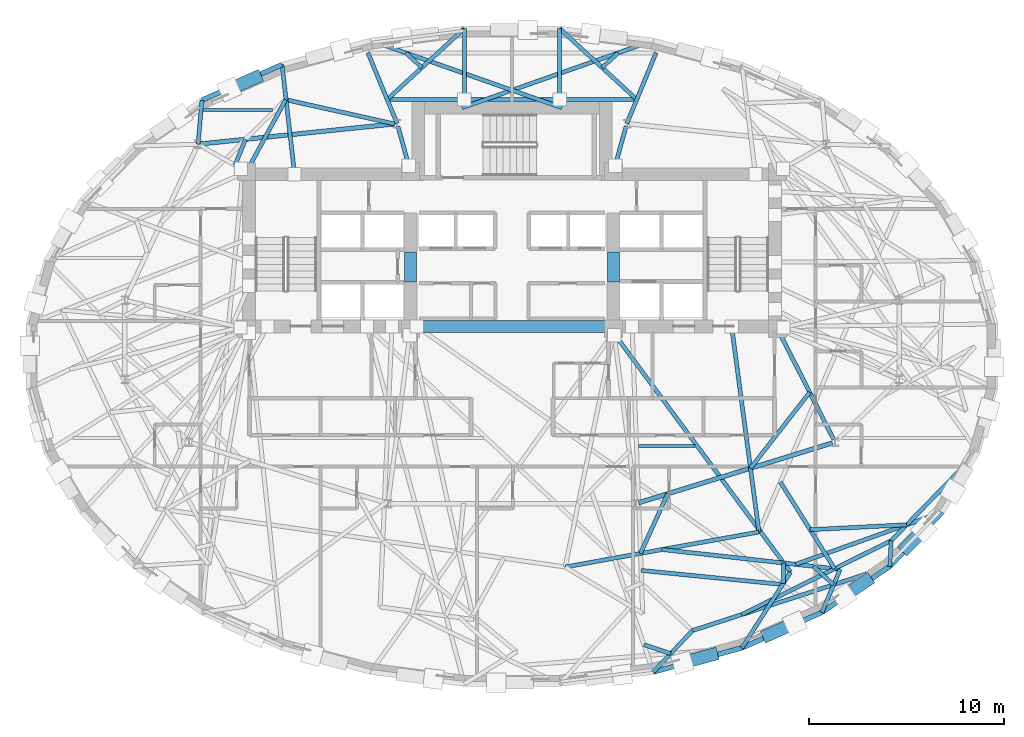
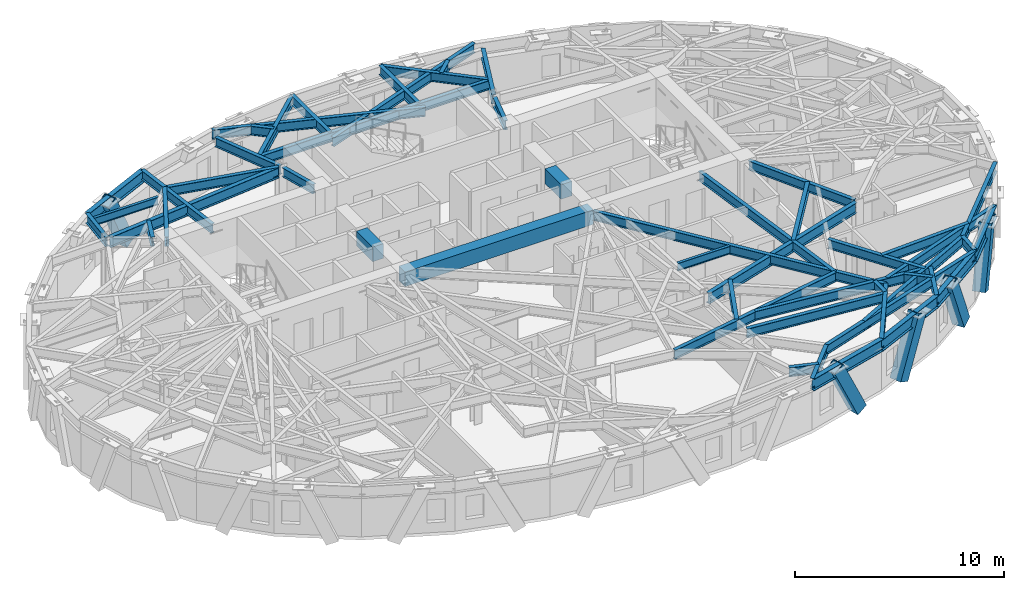
# One storey, part 3 of 15: 51 beams, 5 members.
"""IFC4 building model written with IfcOpenShell, lengths in metres."""

from ifc_helpers import new_model, si_unit, direction, frame, origin, origin_2d, place, context, subcontext, project, spatial, rectangle, hollow_rectangle, i_section, extrude, material, material_profile, profile_set, type_object, element, save


model = new_model("IFC4")

# Units and contexts
model_context = context("Model", 3, precision=1e-05, world=origin(), true_north=direction((0.0, 1.0)))
body_context = subcontext(model_context, "Body", "Model", "MODEL_VIEW")
ifc_project = project(units=[si_unit("LENGTHUNIT", "METRE"), si_unit("AREAUNIT", "SQUARE_METRE"), si_unit("VOLUMEUNIT", "CUBIC_METRE"), si_unit("PLANEANGLEUNIT", "RADIAN"), si_unit("MASSUNIT", "GRAM", prefix="KILO")], contexts=[model_context])

# Site, building, storey
site_placement = place(None, origin())
site = spatial("IfcSite", under=ifc_project, at=site_placement, CompositionType="ELEMENT")
building_placement = place(site_placement, origin())
building = spatial("IfcBuilding", under=site, at=building_placement, Name="Keldmark Tower", CompositionType="ELEMENT")
storey_placement = place(building_placement, frame((0.0, 0.0, 159.800048828125)))
storey = spatial("IfcBuildingStorey", under=building, at=storey_placement, Name="L43", CompositionType="ELEMENT", Elevation=159.800048828125)

# Beams
ifc_material_1 = material(Name="Steel ASTM A992 Grade 50", Category="steel")
ifc_material_profile_1 = material_profile(ifc_material_1, i_section(OverallWidth=0.153076171875, OverallDepth=0.455078125, WebThickness=0.008056640625, FlangeThickness=0.01318359375, at=origin_2d()), Name="W18X40")
ifc_profile_set_1 = profile_set([ifc_material_profile_1], Name="Steel ASTM A992 Grade 50")
beam_type_1 = type_object("IfcBeamType", Name="Composite Floor Joist W18X40", PredefinedType="JOIST", material=ifc_profile_set_1)
beam_1_placement = place(storey_placement, frame((6.473388671875, -4.60009765625, 2.79248046875), z_axis=(1.0, 0.0, 0.0), x_axis=(0.0, 1.0, 0.0)))
element("IfcBeam", 1, at=beam_1_placement, inside=storey, type_object=beam_type_1, Name="L43 Composite Floor Joist J04", PredefinedType="JOIST", context=body_context, shape_type="SweptSolid", body=[
    extrude(i_section(OverallWidth=0.153076171875, OverallDepth=0.455078125, WebThickness=0.008056640625, FlangeThickness=0.01318359375, at=origin_2d()), origin(), (0.0, 0.0, 1.0), 2.89453125),
])
beam_2_placement = place(storey_placement, frame((-15.827880859375, 12.6201171875, 2.79248046875), z_axis=(1.0, 0.0, 0.0), x_axis=(0.0, 1.0, 0.0)))
element("IfcBeam", 2, at=beam_2_placement, inside=storey, type_object=beam_type_1, Name="L43 Composite Floor Joist J07", PredefinedType="JOIST", context=body_context, shape_type="SweptSolid", body=[
    extrude(i_section(OverallWidth=0.153076171875, OverallDepth=0.455078125, WebThickness=0.008056640625, FlangeThickness=0.01318359375, at=origin_2d()), origin(), (0.0, 0.0, 1.0), 3.567626953125),
])
ifc_material_2 = material(Name="Concrete C50/60", Category="concrete")
ifc_material_profile_2 = material_profile(ifc_material_2, rectangle(XDim=0.60009765625, YDim=0.85009765625, at=origin_2d()), Name="RCB600X850")
ifc_profile_set_2 = profile_set([ifc_material_profile_2], Name="Concrete C50/60")
beam_type_2 = type_object("IfcBeamType", Name="Core Coupling Beam RCB600X850", PredefinedType="USERDEFINED", material=ifc_profile_set_2)
for number, where, z_axis, x_axis, name in (
    (3, (-5.199951171875, 3.800048828125, 2.594970703125), (0.0, 1.0, 0.0), (-1.0, 0.0, 0.0), "L43 West Core Coupling Beam"),
    (4, (5.199951171875, 3.800048828125, 2.594970703125), (0.0, 1.0, 0.0), (-1.0, 0.0, 0.0), "L43 East Core Coupling Beam"),
):
    element("IfcBeam", number, at=place(storey_placement, frame(where, z_axis=z_axis, x_axis=x_axis)), inside=storey, type_object=beam_type_2, Name=name, ObjectType="COUPLING BEAM", PredefinedType="USERDEFINED", context=body_context, shape_type="SweptSolid", body=[
        extrude(rectangle(XDim=0.60009765625, YDim=0.85009765625, at=origin_2d()), origin(), (0.0, 0.0, 1.0), 1.550048828125),
    ])
beam_3_placement = place(storey_placement, frame((-5.199951171875, 1.52490234375, 2.594970703125), z_axis=(1.0, 0.0, 0.0), x_axis=(0.0, 1.0, 0.0)))
element("IfcBeam", 5, at=beam_3_placement, inside=storey, type_object=beam_type_2, Name="L43 Central South Core Coupling Beam", ObjectType="COUPLING BEAM", PredefinedType="USERDEFINED", context=body_context, shape_type="SweptSolid", body=[
    extrude(rectangle(XDim=0.60009765625, YDim=0.85009765625, at=origin_2d()), origin(), (0.0, 0.0, 1.0), 10.39990234375),
])

# Members
ifc_material_3 = material(Name="Steel ASTM A572 Grade 50", Category="steel")
ifc_material_profile_3 = material_profile(ifc_material_3, hollow_rectangle(XDim=0.64990234375, YDim=0.64990234375, WallThickness=0.0400390625, at=origin_2d()), Name="BOX650X650X40")
ifc_profile_set_3 = profile_set([ifc_material_profile_3], Name="Steel ASTM A572 Grade 50")
member_type = type_object("IfcMemberType", Name="Diagrid Zone 3 Brace BOX650X650X40", PredefinedType="BRACE", material=ifc_profile_set_3)
member_1_placement = place(storey_placement, frame((-13.11767578125, 14.278076171875, -0.260009765625), z_axis=(-0.390998466283, -0.173676225334, 0.903856608162), x_axis=(0.405941576502, -0.913899029689, 0.0)))
element("IfcMember", 6, at=member_1_placement, inside=storey, type_object=member_type, Name="L43 Perimeter Diagrid Brace 06A", PredefinedType="BRACE", context=body_context, shape_type="SweptSolid", body=[
    extrude(hollow_rectangle(XDim=0.64990234375, YDim=0.64990234375, WallThickness=0.0400390625, at=origin_2d()), origin(), (0.0, 0.0, 1.0), 3.49609375),
])
member_2_placement = place(storey_placement, frame((10.24755859375, -15.2919921875, -0.260009765625), z_axis=(-0.429184205547, -0.116534376353, 0.895667715639), x_axis=(0.262037586807, -0.965057668277, 0.0)))
element("IfcMember", 7, at=member_2_placement, inside=storey, type_object=member_type, Name="L43 Perimeter Diagrid Brace 13B", PredefinedType="BRACE", context=body_context, shape_type="SweptSolid", body=[
    extrude(hollow_rectangle(XDim=0.64990234375, YDim=0.64990234375, WallThickness=0.0400390625, at=origin_2d()), origin(), (0.0, 0.0, 1.0), 3.528076171875),
])
member_3_placement = place(storey_placement, frame((13.11767578125, -14.278076171875, -0.260009765625), z_axis=(0.390998466283, 0.173676225334, 0.903856608162), x_axis=(-0.405941576502, 0.913899029689, 0.0)))
element("IfcMember", 8, at=member_3_placement, inside=storey, type_object=member_type, Name="L43 Perimeter Diagrid Brace 14A", PredefinedType="BRACE", context=body_context, shape_type="SweptSolid", body=[
    extrude(hollow_rectangle(XDim=0.64990234375, YDim=0.64990234375, WallThickness=0.0400390625, at=origin_2d()), origin(), (0.0, 0.0, 1.0), 3.49609375),
])
member_4_placement = place(storey_placement, frame((18.1552734375, -11.502197265625, -0.260009765625), z_axis=(-0.334787205548, -0.226960005112, 0.914552722964), x_axis=(0.56113396057, -0.827725001613, 0.0)))
element("IfcMember", 9, at=member_4_placement, inside=storey, type_object=member_type, Name="L43 Perimeter Diagrid Brace 14B", PredefinedType="BRACE", context=body_context, shape_type="SweptSolid", body=[
    extrude(hollow_rectangle(XDim=0.64990234375, YDim=0.64990234375, WallThickness=0.0400390625, at=origin_2d()), origin(), (0.0, 0.0, 1.0), 3.455078125),
])
member_5_placement = place(storey_placement, frame((20.19921875, -9.7998046875, -0.260009765625), z_axis=(0.262417053705, 0.271502922249, 0.925971626528), x_axis=(-0.719035714481, 0.694973122718, 0.0)))
element("IfcMember", 10, at=member_5_placement, inside=storey, type_object=member_type, Name="L43 Perimeter Diagrid Brace 15A", PredefinedType="BRACE", context=body_context, shape_type="SweptSolid", body=[
    extrude(hollow_rectangle(XDim=0.64990234375, YDim=0.64990234375, WallThickness=0.0400390625, at=origin_2d()), origin(), (0.0, 0.0, 1.0), 3.41259765625),
])

# Beams
ifc_material_4 = material(Name="Steel ASTM A992 Grade 50", Category="steel")
ifc_material_profile_4 = material_profile(ifc_material_4, i_section(OverallWidth=0.22900390625, OverallDepth=0.612060546875, WebThickness=0.011962890625, FlangeThickness=0.01953125, at=origin_2d()), Name="W24X84")
ifc_profile_set_4 = profile_set([ifc_material_profile_4], Name="Steel ASTM A992 Grade 50")
beam_type_3 = type_object("IfcBeamType", Name="Primary Floor Girder W24X84", PredefinedType="BEAM", material=ifc_profile_set_4)
beam_4_placement = place(storey_placement, frame((-6.01953125, 11.90087890625, 2.7138671875), z_axis=(-0.994702930931, -0.102791435423, 0.0), x_axis=(0.102791435423, -0.994702930931, 0.0)))
element("IfcBeam", 11, at=beam_4_placement, inside=storey, type_object=beam_type_3, Name="L43 Floor Ring Girder FG-R04", PredefinedType="BEAM", context=body_context, shape_type="SweptSolid", body=[
    extrude(i_section(OverallWidth=0.22900390625, OverallDepth=0.612060546875, WebThickness=0.011962890625, FlangeThickness=0.01953125, at=origin_2d()), origin(), (0.0, 0.0, 1.0), 9.975341796875),
])
beam_5_placement = place(storey_placement, frame((6.485107421875, -7.5048828125, 2.7138671875), z_axis=(0.955494563145, 0.295008711398, 0.0), x_axis=(-0.295008711398, 0.955494563145, 0.0)))
element("IfcBeam", 12, at=beam_5_placement, inside=storey, type_object=beam_type_3, Name="L43 Floor Ring Girder FG-R10", PredefinedType="BEAM", context=body_context, shape_type="SweptSolid", body=[
    extrude(i_section(OverallWidth=0.22900390625, OverallDepth=0.612060546875, WebThickness=0.011962890625, FlangeThickness=0.01953125, at=origin_2d()), origin(), (0.0, 0.0, 1.0), 10.39013671875),
])
ifc_material_5 = material(Name="Steel ASTM A992 Grade 50", Category="steel")
ifc_material_profile_5 = material_profile(ifc_material_5, i_section(OverallWidth=0.2099609375, OverallDepth=0.537109375, WebThickness=0.010986328125, FlangeThickness=0.017333984375, at=origin_2d()), Name="W21X68")
ifc_profile_set_5 = profile_set([ifc_material_profile_5], Name="Steel ASTM A992 Grade 50")
beam_type_4 = type_object("IfcBeamType", Name="Radial Tie Girder W21X68", PredefinedType="BEAM", material=ifc_profile_set_5)
for number, where, z_axis, x_axis, name in (
    (13, (5.843017578125, 11.7802734375, 2.75146484375), (-0.265992411, -0.963975122755, 0.0), (0.963975122755, -0.265992411, 0.0), "L43 Floor Radial Girder FG-C03"),
    (14, (-5.843017578125, 11.7802734375, 2.75146484375), (0.265992411, -0.963975122755, 0.0), (0.963975122755, 0.265992411, 0.0), "L43 Floor Radial Girder FG-C04"),
):
    element("IfcBeam", number, at=place(storey_placement, frame(where, z_axis=z_axis, x_axis=x_axis)), inside=storey, type_object=beam_type_4, Name=name, PredefinedType="BEAM", context=body_context, shape_type="SweptSolid", body=[
        extrude(i_section(OverallWidth=0.2099609375, OverallDepth=0.537109375, WebThickness=0.010986328125, FlangeThickness=0.017333984375, at=origin_2d()), origin(), (0.0, 0.0, 1.0), 2.09716796875),
    ])
beam_6_placement = place(storey_placement, frame((16.4833984375, -4.273681640625, 2.75146484375), z_axis=(-0.453036691775, 0.891491870914, 0.0), x_axis=(-0.891491870914, -0.453036691775, 0.0)))
element("IfcBeam", 15, at=beam_6_placement, inside=storey, type_object=beam_type_4, Name="L43 Floor Radial Girder FG-C11", PredefinedType="BEAM", context=body_context, shape_type="SweptSolid", body=[
    extrude(i_section(OverallWidth=0.2099609375, OverallDepth=0.537109375, WebThickness=0.010986328125, FlangeThickness=0.017333984375, at=origin_2d()), origin(), (0.0, 0.0, 1.0), 6.044189453125),
])
beam_7_placement = place(storey_placement, frame((15.251220703125, -1.848876953125, 2.75146484375), z_axis=(-0.61556718814, -0.788084409746, 0.0), x_axis=(0.788084409746, -0.61556718814, 0.0)))
element("IfcBeam", 16, at=beam_7_placement, inside=storey, type_object=beam_type_4, Name="L43 Framing Pin Header PH-008", PredefinedType="BEAM", context=body_context, shape_type="SweptSolid", body=[
    extrude(i_section(OverallWidth=0.2099609375, OverallDepth=0.537109375, WebThickness=0.010986328125, FlangeThickness=0.017333984375, at=origin_2d()), origin(), (0.0, 0.0, 1.0), 4.931884765625),
])
beam_8_placement = place(storey_placement, frame((11.25, 1.52490234375, 2.75146484375), z_axis=(0.131788779406, -0.991277820605, 0.0), x_axis=(0.991277820605, 0.131788779406, 0.0)))
element("IfcBeam", 17, at=beam_8_placement, inside=storey, type_object=beam_type_4, Name="L43 Sub-Ring Step Girder STP2-M11", PredefinedType="BEAM", context=body_context, shape_type="SweptSolid", body=[
    extrude(i_section(OverallWidth=0.2099609375, OverallDepth=0.537109375, WebThickness=0.010986328125, FlangeThickness=0.017333984375, at=origin_2d()), origin(), (0.0, 0.0, 1.0), 10.620361328125),
])
beam_9_placement = place(storey_placement, frame((2.723876953125, -10.796142578125, 2.75146484375), z_axis=(0.984069515752, 0.1777841055, 0.0), x_axis=(-0.1777841055, 0.984069515752, 0.0)))
element("IfcBeam", 18, at=beam_9_placement, inside=storey, type_object=beam_type_4, Name="L43 Perimeter Collector Ring Beam CRG2-M10", PredefinedType="BEAM", context=body_context, shape_type="SweptSolid", body=[
    extrude(i_section(OverallWidth=0.2099609375, OverallDepth=0.537109375, WebThickness=0.010986328125, FlangeThickness=0.017333984375, at=origin_2d()), origin(), (0.0, 0.0, 1.0), 10.08642578125),
])
beam_10_placement = place(storey_placement, frame((-14.1904296875, 9.78564453125, 2.75146484375), z_axis=(0.377464687755, 0.9260239789, 0.0), x_axis=(-0.9260239789, 0.377464687755, 0.0)))
element("IfcBeam", 19, at=beam_10_placement, inside=storey, type_object=beam_type_4, Name="L43 Framing Pin Header PH-013", PredefinedType="BEAM", context=body_context, shape_type="SweptSolid", body=[
    extrude(i_section(OverallWidth=0.2099609375, OverallDepth=0.537109375, WebThickness=0.010986328125, FlangeThickness=0.017333984375, at=origin_2d()), origin(), (0.0, 0.0, 1.0), 1.4326171875),
])
beam_11_placement = place(storey_placement, frame((-13.60009765625, 9.449951171875, 2.75146484375), z_axis=(0.477654717375, 0.878547648662, 0.0), x_axis=(-0.878547648662, 0.477654717375, 0.0)))
element("IfcBeam", 20, at=beam_11_placement, inside=storey, type_object=beam_type_4, Name="L43 Local Collector Chord RT-11C", PredefinedType="BEAM", context=body_context, shape_type="SweptSolid", body=[
    extrude(i_section(OverallWidth=0.2099609375, OverallDepth=0.537109375, WebThickness=0.010986328125, FlangeThickness=0.017333984375, at=origin_2d()), origin(), (0.0, 0.0, 1.0), 4.201416015625),
])
beam_12_placement = place(storey_placement, frame((-16.08154296875, 10.861083984375, 2.75146484375), z_axis=(0.089048441045, 0.996027296387, 0.0), x_axis=(-0.996027296387, 0.089048441045, 0.0)))
element("IfcBeam", 21, at=beam_12_placement, inside=storey, type_object=beam_type_4, Name="L43 Perimeter Column Bracket RT-12", PredefinedType="BEAM", context=body_context, shape_type="SweptSolid", body=[
    extrude(i_section(OverallWidth=0.2099609375, OverallDepth=0.537109375, WebThickness=0.010986328125, FlangeThickness=0.017333984375, at=origin_2d()), origin(), (0.0, 0.0, 1.0), 2.2646484375),
])
beam_13_placement = place(storey_placement, frame((7.97412109375, -7.045166015625, 2.75146484375), z_axis=(-0.414953421551, -0.909842655597, 0.0), x_axis=(0.909842655597, -0.414953421551, 0.0)))
element("IfcBeam", 22, at=beam_13_placement, inside=storey, type_object=beam_type_4, Name="L43 Framing Pin Header PH-026", PredefinedType="BEAM", context=body_context, shape_type="SweptSolid", body=[
    extrude(i_section(OverallWidth=0.2099609375, OverallDepth=0.537109375, WebThickness=0.010986328125, FlangeThickness=0.017333984375, at=origin_2d()), origin(), (0.0, 0.0, 1.0), 3.356689453125),
])
beam_14_placement = place(storey_placement, frame((7.23681640625, -16.171875, 2.75146484375), z_axis=(0.686997697273, 0.726659592892, 0.0), x_axis=(-0.726659592892, 0.686997697273, 0.0)))
element("IfcBeam", 23, at=beam_14_placement, inside=storey, type_object=beam_type_4, Name="L43 Local Collector Chord RT-27C", PredefinedType="BEAM", context=body_context, shape_type="SweptSolid", body=[
    extrude(i_section(OverallWidth=0.2099609375, OverallDepth=0.537109375, WebThickness=0.010986328125, FlangeThickness=0.017333984375, at=origin_2d()), origin(), (0.0, 0.0, 1.0), 2.91162109375),
])
beam_15_placement = place(storey_placement, frame((6.758544921875, -14.777099609375, 2.75146484375), z_axis=(0.949660375702, -0.313281296636, 0.0), x_axis=(0.313281296636, 0.949660375702, 0.0)))
element("IfcBeam", 24, at=beam_15_placement, inside=storey, type_object=beam_type_4, Name="L43 Framing Pin Header PH-029", PredefinedType="BEAM", context=body_context, shape_type="SweptSolid", body=[
    extrude(i_section(OverallWidth=0.2099609375, OverallDepth=0.537109375, WebThickness=0.010986328125, FlangeThickness=0.017333984375, at=origin_2d()), origin(), (0.0, 0.0, 1.0), 1.4423828125),
])
beam_16_placement = place(storey_placement, frame((5.199951171875, 1.199951171875, 2.75146484375), z_axis=(0.59453422217, -0.804070307043, 0.0), x_axis=(0.804070307043, 0.59453422217, 0.0)))
element("IfcBeam", 25, at=beam_16_placement, inside=storey, type_object=beam_type_4, Name="L43 Intermediate Radial Step Girder RT-28M", PredefinedType="BEAM", context=body_context, shape_type="SweptSolid", body=[
    extrude(i_section(OverallWidth=0.2099609375, OverallDepth=0.537109375, WebThickness=0.010986328125, FlangeThickness=0.017333984375, at=origin_2d()), origin(), (0.0, 0.0, 1.0), 15.2470703125),
])
beam_17_placement = place(storey_placement, frame((11.77880859375, -14.93798828125, 2.75146484375), z_axis=(0.539677672461, 0.841871730044, 0.0), x_axis=(-0.841871730044, 0.539677672461, 0.0)))
element("IfcBeam", 26, at=beam_17_placement, inside=storey, type_object=beam_type_4, Name="L43 Local Collector Chord RT-28C", PredefinedType="BEAM", context=body_context, shape_type="SweptSolid", body=[
    extrude(i_section(OverallWidth=0.2099609375, OverallDepth=0.537109375, WebThickness=0.010986328125, FlangeThickness=0.017333984375, at=origin_2d()), origin(), (0.0, 0.0, 1.0), 4.606689453125),
])
beam_18_placement = place(storey_placement, frame((6.613525390625, -10.96923828125, 2.75146484375), z_axis=(0.995067350414, -0.099201653916, 0.0), x_axis=(0.099201653916, 0.995067350414, 0.0)))
element("IfcBeam", 27, at=beam_18_placement, inside=storey, type_object=beam_type_4, Name="L43 Framing Pin Header PH-030", PredefinedType="BEAM", context=body_context, shape_type="SweptSolid", body=[
    extrude(i_section(OverallWidth=0.2099609375, OverallDepth=0.537109375, WebThickness=0.010986328125, FlangeThickness=0.017333984375, at=origin_2d()), origin(), (0.0, 0.0, 1.0), 7.2822265625),
])
beam_19_placement = place(storey_placement, frame((13.891845703125, -11.6416015625, 2.75146484375), z_axis=(0.02533480898, 0.999679022214, 0.0), x_axis=(-0.999679022214, 0.02533480898, 0.0)))
element("IfcBeam", 28, at=beam_19_placement, inside=storey, type_object=beam_type_4, Name="L43 Framing Pin Header PH-031", PredefinedType="BEAM", context=body_context, shape_type="SweptSolid", body=[
    extrude(i_section(OverallWidth=0.2099609375, OverallDepth=0.537109375, WebThickness=0.010986328125, FlangeThickness=0.017333984375, at=origin_2d()), origin(), (0.0, 0.0, 1.0), 1.05029296875),
])
beam_20_placement = place(storey_placement, frame((7.686767578125, -9.8994140625, 2.75146484375), z_axis=(0.993889248992, -0.110381885916, 0.0), x_axis=(0.110381885916, 0.993889248992, 0.0)))
element("IfcBeam", 29, at=beam_20_placement, inside=storey, type_object=beam_type_4, Name="L43 Intermediate Radial Step Girder RT-29M", PredefinedType="BEAM", context=body_context, shape_type="SweptSolid", body=[
    extrude(i_section(OverallWidth=0.2099609375, OverallDepth=0.537109375, WebThickness=0.010986328125, FlangeThickness=0.017333984375, at=origin_2d()), origin(), (0.0, 0.0, 1.0), 9.1767578125),
])
beam_21_placement = place(storey_placement, frame((15.8798828125, -13.11669921875, 2.75146484375), z_axis=(0.387824231892, 0.921733348185, 0.0), x_axis=(-0.921733348185, 0.387824231892, 0.0)))
element("IfcBeam", 30, at=beam_21_placement, inside=storey, type_object=beam_type_4, Name="L43 Local Collector Chord RT-29C", PredefinedType="BEAM", context=body_context, shape_type="SweptSolid", body=[
    extrude(i_section(OverallWidth=0.2099609375, OverallDepth=0.537109375, WebThickness=0.010986328125, FlangeThickness=0.017333984375, at=origin_2d()), origin(), (0.0, 0.0, 1.0), 2.3916015625),
])
beam_22_placement = place(storey_placement, frame((15.439208984375, -10.760498046875, 2.75146484375), z_axis=(0.740981524203, -0.671525413361, 0.0), x_axis=(0.671525413361, 0.740981524203, 0.0)))
element("IfcBeam", 31, at=beam_22_placement, inside=storey, type_object=beam_type_4, Name="L43 Framing Pin Header PH-032", PredefinedType="BEAM", context=body_context, shape_type="SweptSolid", body=[
    extrude(i_section(OverallWidth=0.2099609375, OverallDepth=0.537109375, WebThickness=0.010986328125, FlangeThickness=0.017333984375, at=origin_2d()), origin(), (0.0, 0.0, 1.0), 1.39892578125),
])
beam_23_placement = place(storey_placement, frame((9.237060546875, -14.05615234375, 2.75146484375), z_axis=(0.950900030318, 0.309498194407, 0.0), x_axis=(-0.309498194407, 0.950900030318, 0.0)))
element("IfcBeam", 32, at=beam_23_placement, inside=storey, type_object=beam_type_4, Name="L43 Perimeter Radial Tie Girder RT-29", PredefinedType="BEAM", context=body_context, shape_type="SweptSolid", body=[
    extrude(i_section(OverallWidth=0.2099609375, OverallDepth=0.537109375, WebThickness=0.010986328125, FlangeThickness=0.017333984375, at=origin_2d()), origin(), (0.0, 0.0, 1.0), 10.635009765625),
])
beam_24_placement = place(storey_placement, frame((13.748779296875, -6.447998046875, 2.75146484375), z_axis=(0.530665942511, -0.847581062471, 0.0), x_axis=(0.847581062471, 0.530665942511, 0.0)))
element("IfcBeam", 33, at=beam_24_placement, inside=storey, type_object=beam_type_4, Name="L43 Framing Pin Header PH-033", PredefinedType="BEAM", context=body_context, shape_type="SweptSolid", body=[
    extrude(i_section(OverallWidth=0.2099609375, OverallDepth=0.537109375, WebThickness=0.010986328125, FlangeThickness=0.017333984375, at=origin_2d()), origin(), (0.0, 0.0, 1.0), 5.22998046875),
])
beam_25_placement = place(storey_placement, frame((11.765380859375, -13.233154296875, 2.75146484375), z_axis=(0.896464468834, 0.443115623871, 0.0), x_axis=(-0.443115623871, 0.896464468834, 0.0)))
element("IfcBeam", 34, at=beam_25_placement, inside=storey, type_object=beam_type_4, Name="L43 Intermediate Radial Step Girder RT-30M", PredefinedType="BEAM", context=body_context, shape_type="SweptSolid", body=[
    extrude(i_section(OverallWidth=0.2099609375, OverallDepth=0.537109375, WebThickness=0.010986328125, FlangeThickness=0.017333984375, at=origin_2d()), origin(), (0.0, 0.0, 1.0), 8.541015625),
])
beam_26_placement = place(storey_placement, frame((19.349853515625, -10.7646484375, 2.75146484375), z_axis=(0.054823748843, 0.998496047345, 0.0), x_axis=(-0.998496047345, 0.054823748843, 0.0)))
element("IfcBeam", 35, at=beam_26_placement, inside=storey, type_object=beam_type_4, Name="L43 Local Collector Chord RT-30C", PredefinedType="BEAM", context=body_context, shape_type="SweptSolid", body=[
    extrude(i_section(OverallWidth=0.2099609375, OverallDepth=0.537109375, WebThickness=0.010986328125, FlangeThickness=0.017333984375, at=origin_2d()), origin(), (0.0, 0.0, 1.0), 1.318115234375),
])
for number, where, z_axis, x_axis, name in (
    (36, (-5.880126953125, 11.915283203125, 2.75146484375), (-0.381836487795, 0.924229893797, 0.0), (-0.924229893797, -0.381836487795, 0.0), "L43 North Column Cantilever Girder West FG-TCN-W"),
    (37, (5.880126953125, 11.915283203125, 2.75146484375), (0.381836487795, 0.924229893797, 0.0), (-0.924229893797, 0.381836487795, 0.0), "L43 North Column Cantilever Girder East FG-TCN-E"),
):
    element("IfcBeam", number, at=place(storey_placement, frame(where, z_axis=z_axis, x_axis=x_axis)), inside=storey, type_object=beam_type_4, Name=name, PredefinedType="BEAM", context=body_context, shape_type="SweptSolid", body=[
        extrude(i_section(OverallWidth=0.2099609375, OverallDepth=0.537109375, WebThickness=0.010986328125, FlangeThickness=0.017333984375, at=origin_2d()), origin(), (0.0, 0.0, 1.0), 3.920166015625),
    ])
beam_27_placement = place(storey_placement, frame((-6.390380859375, 13.14990234375, 2.75146484375), z_axis=(1.0, 0.0, 0.0), x_axis=(0.0, 1.0, 0.0)))
element("IfcBeam", 38, at=beam_27_placement, inside=storey, type_object=beam_type_4, Name="L43 North Inner Header Girder FG-TCN-H0", PredefinedType="BEAM", context=body_context, shape_type="SweptSolid", body=[
    extrude(i_section(OverallWidth=0.2099609375, OverallDepth=0.537109375, WebThickness=0.010986328125, FlangeThickness=0.017333984375, at=origin_2d()), origin(), (0.0, 0.0, 1.0), 12.78076171875),
])
for number, where, z_axis, x_axis, name in (
    (39, (2.439208984375, 13.14990234375, 2.75146484375), (0.0, 1.0, 0.0), (-1.0, 0.0, 0.0), "L43 North Continuous Radial Girder RT-08N"),
    (40, (-2.439208984375, 13.14990234375, 2.75146484375), (0.0, 1.0, 0.0), (-1.0, 0.0, 0.0), "L43 North Continuous Radial Girder RT-09N"),
):
    element("IfcBeam", number, at=place(storey_placement, frame(where, z_axis=z_axis, x_axis=x_axis)), inside=storey, type_object=beam_type_4, Name=name, PredefinedType="BEAM", context=body_context, shape_type="SweptSolid", body=[
        extrude(i_section(OverallWidth=0.2099609375, OverallDepth=0.537109375, WebThickness=0.010986328125, FlangeThickness=0.017333984375, at=origin_2d()), origin(), (0.0, 0.0, 1.0), 3.63818359375),
    ])
beam_28_placement = place(storey_placement, frame((6.390380859375, 13.14990234375, 2.75146484375), z_axis=(-0.735642853737, 0.677369612357, 0.0), x_axis=(-0.677369612357, -0.735642853737, 0.0)))
element("IfcBeam", 41, at=beam_28_placement, inside=storey, type_object=beam_type_4, Name="L43 Straddling Support Chord RT-07RB", PredefinedType="BEAM", context=body_context, shape_type="SweptSolid", body=[
    extrude(i_section(OverallWidth=0.2099609375, OverallDepth=0.537109375, WebThickness=0.010986328125, FlangeThickness=0.017333984375, at=origin_2d()), origin(), (0.0, 0.0, 1.0), 5.37109375),
])
beam_29_placement = place(storey_placement, frame((4.6123046875, 14.787109375, 2.75146484375), z_axis=(0.738779417209, 0.673947307071, 0.0), x_axis=(-0.673947307071, 0.738779417209, 0.0)))
element("IfcBeam", 42, at=beam_29_placement, inside=storey, type_object=beam_type_4, Name="L43 Framing Pin Header PH-037", PredefinedType="BEAM", context=body_context, shape_type="SweptSolid", body=[
    extrude(i_section(OverallWidth=0.2099609375, OverallDepth=0.537109375, WebThickness=0.010986328125, FlangeThickness=0.017333984375, at=origin_2d()), origin(), (0.0, 0.0, 1.0), 1.11474609375),
])
beam_30_placement = place(storey_placement, frame((-2.5625, 12.72509765625, 2.75146484375), z_axis=(0.943346452772, 0.331809388117, 0.0), x_axis=(-0.331809388117, 0.943346452772, 0.0)))
element("IfcBeam", 43, at=beam_30_placement, inside=storey, type_object=beam_type_4, Name="L43 Perimeter Radial Tie Girder RT-07R", PredefinedType="BEAM", context=body_context, shape_type="SweptSolid", body=[
    extrude(i_section(OverallWidth=0.2099609375, OverallDepth=0.537109375, WebThickness=0.010986328125, FlangeThickness=0.017333984375, at=origin_2d()), origin(), (0.0, 0.0, 1.0), 10.387939453125),
])
beam_31_placement = place(storey_placement, frame((-2.439208984375, 16.7880859375, 2.75146484375), z_axis=(-0.735642853737, -0.677369612357, 0.0), x_axis=(0.677369612357, -0.735642853737, 0.0)))
element("IfcBeam", 44, at=beam_31_placement, inside=storey, type_object=beam_type_4, Name="L43 Straddling Support Chord RT-10RB", PredefinedType="BEAM", context=body_context, shape_type="SweptSolid", body=[
    extrude(i_section(OverallWidth=0.2099609375, OverallDepth=0.537109375, WebThickness=0.010986328125, FlangeThickness=0.017333984375, at=origin_2d()), origin(), (0.0, 0.0, 1.0), 5.37109375),
])
beam_32_placement = place(storey_placement, frame((-4.6123046875, 14.787109375, 2.75146484375), z_axis=(-0.738779417209, 0.673947307071, 0.0), x_axis=(-0.673947307071, -0.738779417209, 0.0)))
element("IfcBeam", 45, at=beam_32_placement, inside=storey, type_object=beam_type_4, Name="L43 Framing Pin Header PH-038", PredefinedType="BEAM", context=body_context, shape_type="SweptSolid", body=[
    extrude(i_section(OverallWidth=0.2099609375, OverallDepth=0.537109375, WebThickness=0.010986328125, FlangeThickness=0.017333984375, at=origin_2d()), origin(), (0.0, 0.0, 1.0), 1.11474609375),
])
beam_33_placement = place(storey_placement, frame((2.5625, 12.72509765625, 2.75146484375), z_axis=(-0.943346452772, 0.331809388117, 0.0), x_axis=(-0.331809388117, -0.943346452772, 0.0)))
element("IfcBeam", 46, at=beam_33_placement, inside=storey, type_object=beam_type_4, Name="L43 Perimeter Radial Tie Girder RT-10R", PredefinedType="BEAM", context=body_context, shape_type="SweptSolid", body=[
    extrude(i_section(OverallWidth=0.2099609375, OverallDepth=0.537109375, WebThickness=0.010986328125, FlangeThickness=0.017333984375, at=origin_2d()), origin(), (0.0, 0.0, 1.0), 10.387939453125),
])
beam_34_placement = place(storey_placement, frame((-6.01953125, 11.90087890625, 2.75146484375), z_axis=(-0.976126660537, 0.217202077772, 0.0), x_axis=(-0.217202077772, -0.976126660537, 0.0)))
element("IfcBeam", 47, at=beam_34_placement, inside=storey, type_object=beam_type_4, Name="L43 Straddling Support Chord RT-11RB", PredefinedType="BEAM", context=body_context, shape_type="SweptSolid", body=[
    extrude(i_section(OverallWidth=0.2099609375, OverallDepth=0.537109375, WebThickness=0.010986328125, FlangeThickness=0.017333984375, at=origin_2d()), origin(), (0.0, 0.0, 1.0), 5.7099609375),
])
beam_35_placement = place(storey_placement, frame((-11.1357421875, 9.324951171875, 2.75146484375), z_axis=(-0.113822019319, 0.993501156476, 0.0), x_axis=(-0.993501156476, -0.113822019319, 0.0)))
element("IfcBeam", 48, at=beam_35_placement, inside=storey, type_object=beam_type_4, Name="L43 Perimeter Radial Tie Girder RT-11R", PredefinedType="BEAM", context=body_context, shape_type="SweptSolid", body=[
    extrude(i_section(OverallWidth=0.2099609375, OverallDepth=0.537109375, WebThickness=0.010986328125, FlangeThickness=0.017333984375, at=origin_2d()), origin(), (0.0, 0.0, 1.0), 5.649658203125),
])
beam_36_placement = place(storey_placement, frame((19.422119140625, -9.448486328125, 2.75146484375), z_axis=(0.698556884714, 0.715554525399, 0.0), x_axis=(-0.715554525399, 0.698556884714, 0.0)))
element("IfcBeam", 49, at=beam_36_placement, inside=storey, type_object=beam_type_4, Name="L43 Straddling Support Chord RT-30RB", PredefinedType="BEAM", context=body_context, shape_type="SweptSolid", body=[
    extrude(i_section(OverallWidth=0.2099609375, OverallDepth=0.537109375, WebThickness=0.010986328125, FlangeThickness=0.017333984375, at=origin_2d()), origin(), (0.0, 0.0, 1.0), 6.3486328125),
])
beam_37_placement = place(storey_placement, frame((15.275146484375, -8.885986328125, 2.75146484375), z_axis=(0.998681382448, 0.051337085533, 0.0), x_axis=(-0.051337085533, 0.998681382448, 0.0)))
element("IfcBeam", 50, at=beam_37_placement, inside=storey, type_object=beam_type_4, Name="L43 Framing Pin Header PH-042", PredefinedType="BEAM", context=body_context, shape_type="SweptSolid", body=[
    extrude(i_section(OverallWidth=0.2099609375, OverallDepth=0.537109375, WebThickness=0.010986328125, FlangeThickness=0.017333984375, at=origin_2d()), origin(), (0.0, 0.0, 1.0), 4.95068359375),
])
beam_38_placement = place(storey_placement, frame((14.527099609375, -10.6591796875, 2.75146484375), z_axis=(0.942039482197, 0.335502032753, 0.0), x_axis=(-0.335502032753, 0.942039482197, 0.0)))
element("IfcBeam", 51, at=beam_38_placement, inside=storey, type_object=beam_type_4, Name="L43 Perimeter Radial Tie Girder RT-30R", PredefinedType="BEAM", context=body_context, shape_type="SweptSolid", body=[
    extrude(i_section(OverallWidth=0.2099609375, OverallDepth=0.537109375, WebThickness=0.010986328125, FlangeThickness=0.017333984375, at=origin_2d()), origin(), (0.0, 0.0, 1.0), 7.971923828125),
])
ifc_material_6 = material(Name="Steel ASTM A992 Grade 50", Category="steel")
ifc_material_profile_6 = material_profile(ifc_material_6, i_section(OverallWidth=0.256103515625, OverallDepth=0.693115234375, WebThickness=0.014404296875, FlangeThickness=0.023681640625, at=origin_2d()), Name="W27X114")
ifc_profile_set_6 = profile_set([ifc_material_profile_6], Name="Steel ASTM A992 Grade 50")
beam_type_5 = type_object("IfcBeamType", Name="Spandrel Ring Beam W27X114", PredefinedType="SPANDREL", material=ifc_profile_set_6)
beam_39_placement = place(storey_placement, frame((-11.77880859375, 14.93798828125, 2.67333984375), z_axis=(-0.913928177397, -0.405875949719, 0.0), x_axis=(0.405875949719, -0.913928177397, 0.0)))
element("IfcBeam", 52, at=beam_39_placement, inside=storey, type_object=beam_type_5, Name="L43 Perimeter Spandrel Ring Beam SRB-11", PredefinedType="SPANDREL", context=body_context, shape_type="SweptSolid", body=[
    extrude(i_section(OverallWidth=0.256103515625, OverallDepth=0.693115234375, WebThickness=0.014404296875, FlangeThickness=0.023681640625, at=origin_2d()), origin(), (0.0, 0.0, 1.0), 4.4873046875),
])
beam_40_placement = place(storey_placement, frame((7.23681640625, -16.171875, 2.67333984375), z_axis=(0.965024302167, 0.26216043986, 0.0), x_axis=(-0.26216043986, 0.965024302167, 0.0)))
element("IfcBeam", 53, at=beam_40_placement, inside=storey, type_object=beam_type_5, Name="L43 Perimeter Spandrel Ring Beam SRB-26", PredefinedType="SPANDREL", context=body_context, shape_type="SweptSolid", body=[
    extrude(i_section(OverallWidth=0.256103515625, OverallDepth=0.693115234375, WebThickness=0.014404296875, FlangeThickness=0.023681640625, at=origin_2d()), origin(), (0.0, 0.0, 1.0), 4.70654296875),
])
beam_41_placement = place(storey_placement, frame((11.77880859375, -14.93798828125, 2.67333984375), z_axis=(0.913928177397, 0.405875949719, 0.0), x_axis=(-0.405875949719, 0.913928177397, 0.0)))
element("IfcBeam", 54, at=beam_41_placement, inside=storey, type_object=beam_type_5, Name="L43 Perimeter Spandrel Ring Beam SRB-27", PredefinedType="SPANDREL", context=body_context, shape_type="SweptSolid", body=[
    extrude(i_section(OverallWidth=0.256103515625, OverallDepth=0.693115234375, WebThickness=0.014404296875, FlangeThickness=0.023681640625, at=origin_2d()), origin(), (0.0, 0.0, 1.0), 4.4873046875),
])
beam_42_placement = place(storey_placement, frame((15.8798828125, -13.11669921875, 2.67333984375), z_axis=(0.827760762475, 0.561081206338, 0.0), x_axis=(-0.561081206338, 0.827760762475, 0.0)))
element("IfcBeam", 55, at=beam_42_placement, inside=storey, type_object=beam_type_5, Name="L43 Perimeter Spandrel Ring Beam SRB-28", PredefinedType="SPANDREL", context=body_context, shape_type="SweptSolid", body=[
    extrude(i_section(OverallWidth=0.256103515625, OverallDepth=0.693115234375, WebThickness=0.014404296875, FlangeThickness=0.023681640625, at=origin_2d()), origin(), (0.0, 0.0, 1.0), 4.19189453125),
])
beam_43_placement = place(storey_placement, frame((19.349853515625, -10.7646484375, 2.67333984375), z_axis=(0.694975307772, 0.719033602544, 0.0), x_axis=(-0.719033602544, 0.694975307772, 0.0)))
element("IfcBeam", 56, at=beam_43_placement, inside=storey, type_object=beam_type_5, Name="L43 Perimeter Spandrel Ring Beam SRB-29", PredefinedType="SPANDREL", context=body_context, shape_type="SweptSolid", body=[
    extrude(i_section(OverallWidth=0.256103515625, OverallDepth=0.693115234375, WebThickness=0.014404296875, FlangeThickness=0.023681640625, at=origin_2d()), origin(), (0.0, 0.0, 1.0), 3.866455078125),
])

save(model, "model.ifc")
